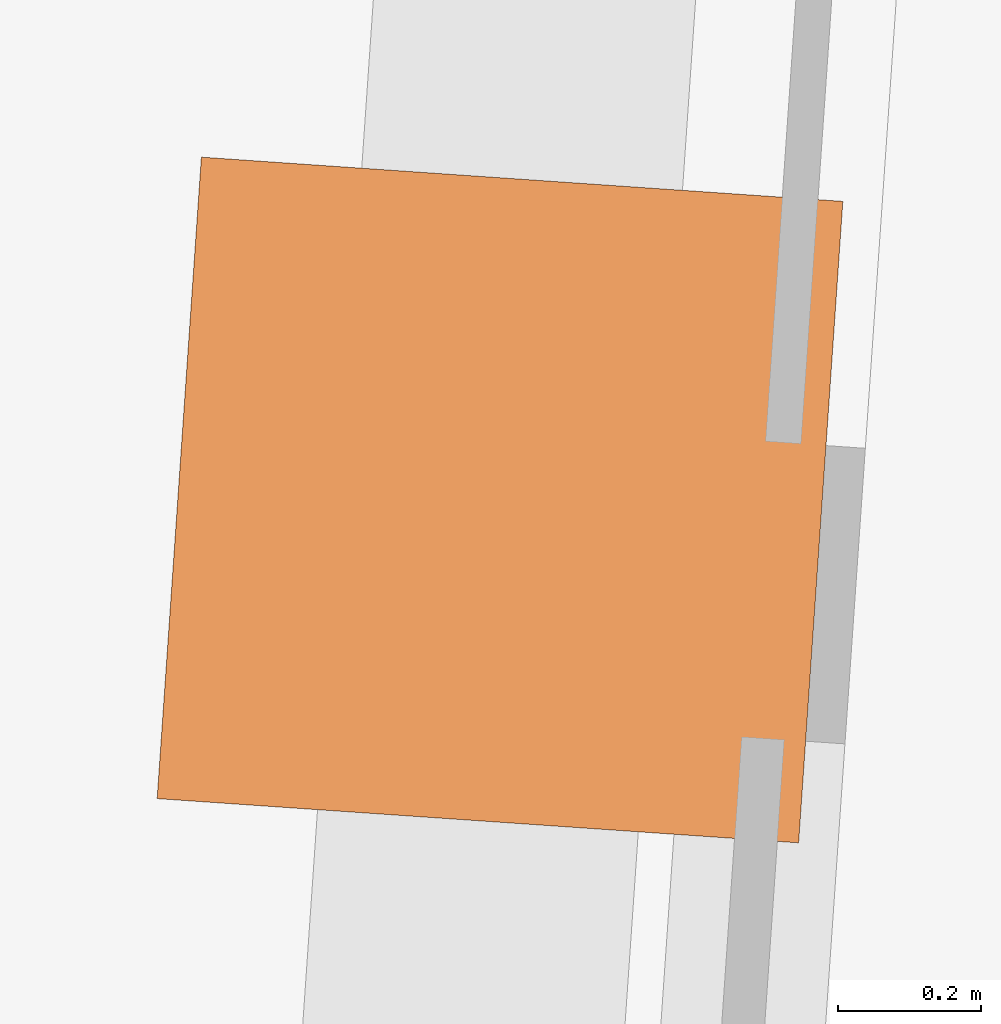
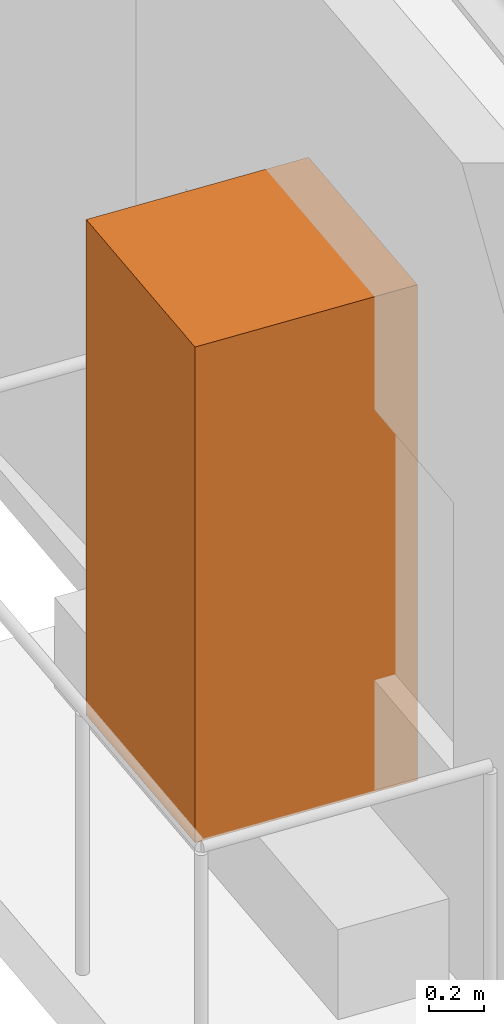
# One storey, part 10 of 10: 1 geographic element.
"""IFC4 building model written with IfcOpenShell, lengths in metres."""

from ifc_helpers import new_model, si_unit, direction, frame, origin, origin_2d, place, context, subcontext, project, spatial, rectangle, extrude, material, type_object, element, save


model = new_model("IFC4")

# Units and contexts
model_context = context("Model", 3, precision=1e-05, world=origin(), true_north=direction((0.0, 1.0)))
body_context = subcontext(model_context, "Body", "Model", "MODEL_VIEW")
ifc_project = project(units=[si_unit("LENGTHUNIT", "METRE"), si_unit("AREAUNIT", "SQUARE_METRE"), si_unit("VOLUMEUNIT", "CUBIC_METRE"), si_unit("PLANEANGLEUNIT", "RADIAN"), si_unit("MASSUNIT", "GRAM", prefix="KILO")], contexts=[model_context])

# Site, building, storey
site_placement = place(None, origin())
site = spatial("IfcSite", under=ifc_project, at=site_placement, CompositionType="ELEMENT")
building_placement = place(site_placement, origin())
building = spatial("IfcBuilding", under=site, at=building_placement, Name="Verdant Reach Tower", CompositionType="ELEMENT")
storey_placement = place(building_placement, frame((0.0, 0.0, 302.0)))
storey = spatial("IfcBuildingStorey", under=building, at=storey_placement, Name="L69", CompositionType="ELEMENT", Elevation=302.0)

# Geographic element
ifc_material = material(Name="Planting")
geographic_element_type = type_object("IfcGeographicElementType", Name="EN-TREE", PredefinedType="USERDEFINED", material=ifc_material)
geographic_element_placement = place(storey_placement, frame((-21.432373046875, 24.195556640625, 0.39990234375), z_axis=(0.0, 0.0, 1.0), x_axis=(-0.068802091615, -0.997630328423, 0.0)))
element("IfcGeographicElement", 1, at=geographic_element_placement, inside=storey, type_object=geographic_element_type, Name="Balcony tree, Yellow trumpet tree (Handroanthus albus), L69 1", ObjectType="TREE", PredefinedType="USERDEFINED", context=body_context, shape_type="SweptSolid", body=[
    extrude(rectangle(XDim=0.89990234375, YDim=0.89990234375, at=origin_2d()), origin(), (0.0, 0.0, 1.0), 2.199951171875),
])

save(model, "model.ifc")
